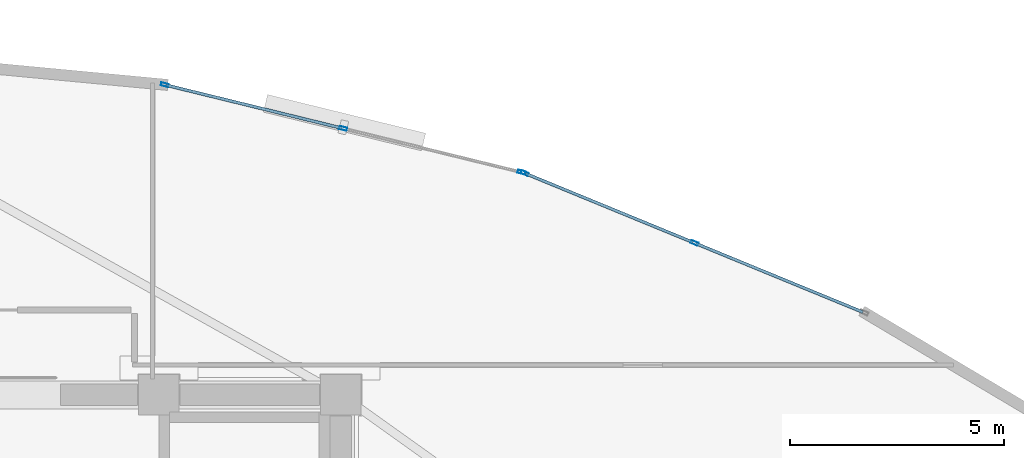
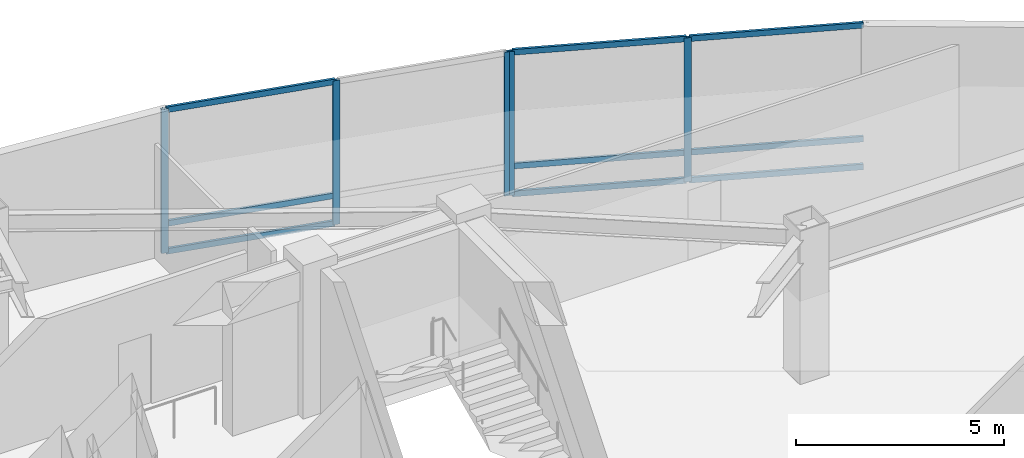
# One storey, part 10 of 17: 14 members, 2 elements without a shape of their own.
"""IFC4 building model written with IfcOpenShell, lengths in metres."""

from ifc_helpers import new_model, si_unit, direction, frame, origin, origin_2d, place, context, subcontext, project, spatial, hollow_rectangle, extrude, material, layer, layer_set, material_profile, profile_set, type_object, element, aggregate, save


model = new_model("IFC4")

# Units and contexts
model_context = context("Model", 3, precision=1e-05, world=origin(), true_north=direction((0.0, 1.0)))
body_context = subcontext(model_context, "Body", "Model", "MODEL_VIEW")
ifc_project = project(units=[si_unit("LENGTHUNIT", "METRE"), si_unit("AREAUNIT", "SQUARE_METRE"), si_unit("VOLUMEUNIT", "CUBIC_METRE"), si_unit("PLANEANGLEUNIT", "RADIAN"), si_unit("MASSUNIT", "GRAM", prefix="KILO")], contexts=[model_context])

# Site, building, storey
site_placement = place(None, origin())
site = spatial("IfcSite", under=ifc_project, at=site_placement, CompositionType="ELEMENT")
building_placement = place(site_placement, origin())
building = spatial("IfcBuilding", under=site, at=building_placement, Name="Menara Vayukalpa", CompositionType="ELEMENT")
storey_placement = place(building_placement, frame((0.0, 0.0, 238.139892578125)))
storey = spatial("IfcBuildingStorey", under=building, at=storey_placement, Name="L60", CompositionType="ELEMENT", Elevation=238.139892578125)

# Curtain wall, members
ifc_material_1 = material(Name="Anodised Terracotta Aluminium Alloy 6063-T6", Category="masonry")
ifc_layer = layer(ifc_material_1, 0.179931640625)
ifc_layer_set = layer_set([ifc_layer], Name="Anodised Terracotta Aluminium Alloy 6063-T6")
curtain_wall_type = type_object("IfcCurtainWallType", Name="CW-CW4", PredefinedType="USERDEFINED", material=ifc_layer_set)
curtain_wall_1_placement = place(storey_placement, origin())
curtain_wall_1 = element("IfcCurtainWall", 1, at=curtain_wall_1_placement, inside=storey, type_object=curtain_wall_type, Name="L60 Sky Bar Cantilever Glazed Curtain Wall CW4 04", ObjectType="UNITISED", PredefinedType="USERDEFINED")
ifc_material_2 = material(Name="Anodised Terracotta Aluminium Alloy 6063-T6", Category="masonry")
ifc_material_profile_1 = material_profile(ifc_material_2, hollow_rectangle(XDim=0.074951171875, YDim=0.179931640625, WallThickness=0.00390625, at=origin_2d()), Name="ALU 75x180x4")
ifc_profile_set_1 = profile_set([ifc_material_profile_1], Name="Anodised Terracotta Aluminium Alloy 6063-T6")
member_type_1 = type_object("IfcMemberType", Name="CWM-CW4", PredefinedType="MULLION", material=ifc_profile_set_1)
member_1_placement = place(storey_placement, frame((41.658203125, 30.34765625, 0.0), z_axis=(0.0, 0.0, 1.0), x_axis=(-0.380039448491, -0.924970279301, 0.0)))
member_1 = element("IfcMember", 2, at=member_1_placement, type_object=member_type_1, Name="CW4 mullion 2", PredefinedType="MULLION", context=body_context, shape_type="SweptSolid", body=[
    extrude(hollow_rectangle(XDim=0.074951171875, YDim=0.179931640625, WallThickness=0.00390625, at=origin_2d()), origin(), (0.0, 0.0, 1.0), 4.22021484375),
])
member_2_placement = place(storey_placement, frame((37.690673828125, 31.977783203125, 0.0), z_axis=(0.0, 0.0, 1.0), x_axis=(-0.380039448491, -0.924970279301, 0.0)))
member_2 = element("IfcMember", 3, at=member_2_placement, type_object=member_type_1, Name="CW4 mullion 3", PredefinedType="MULLION", context=body_context, shape_type="SweptSolid", body=[
    extrude(hollow_rectangle(XDim=0.074951171875, YDim=0.179931640625, WallThickness=0.00390625, at=origin_2d()), origin(), (0.0, 0.0, 1.0), 4.22021484375),
])

curtain_wall_2_placement = place(storey_placement, origin())
curtain_wall_2 = element("IfcCurtainWall", 4, at=curtain_wall_2_placement, inside=storey, type_object=curtain_wall_type, Name="L60 Sky Bar Cantilever Glazed Curtain Wall CW4 05", ObjectType="UNITISED", PredefinedType="USERDEFINED")
member_3_placement = place(storey_placement, frame((37.61962890625, 32.0009765625, 0.0), z_axis=(0.0, 0.0, 1.0), x_axis=(-0.237809768652, -0.971311749097, 0.0)))
member_3 = element("IfcMember", 5, at=member_3_placement, type_object=member_type_1, Name="CW4 mullion 1", PredefinedType="MULLION", context=body_context, shape_type="SweptSolid", body=[
    extrude(hollow_rectangle(XDim=0.074951171875, YDim=0.179931640625, WallThickness=0.00390625, at=origin_2d()), origin(), (0.0, 0.0, 1.0), 4.22021484375),
])
member_4_placement = place(storey_placement, frame((33.453369140625, 33.02099609375, 0.0), z_axis=(0.0, 0.0, 1.0), x_axis=(-0.237809768652, -0.971311749097, 0.0)))
member_4 = element("IfcMember", 6, at=member_4_placement, type_object=member_type_1, Name="CW4 mullion 2", PredefinedType="MULLION", context=body_context, shape_type="SweptSolid", body=[
    extrude(hollow_rectangle(XDim=0.074951171875, YDim=0.179931640625, WallThickness=0.00390625, at=origin_2d()), origin(), (0.0, 0.0, 1.0), 4.22021484375),
])
member_5_placement = place(storey_placement, frame((29.287109375, 34.041015625, 0.0), z_axis=(0.0, 0.0, 1.0), x_axis=(-0.237809768652, -0.971311749097, 0.0)))
member_5 = element("IfcMember", 7, at=member_5_placement, type_object=member_type_1, Name="CW4 mullion 3", PredefinedType="MULLION", context=body_context, shape_type="SweptSolid", body=[
    extrude(hollow_rectangle(XDim=0.074951171875, YDim=0.179931640625, WallThickness=0.00390625, at=origin_2d()), origin(), (0.0, 0.0, 1.0), 4.22021484375),
])

# Member
ifc_material_3 = material(Name="Anodised Terracotta Aluminium Alloy 6063-T6", Category="masonry")
ifc_material_profile_2 = material_profile(ifc_material_3, hollow_rectangle(XDim=0.070068359375, YDim=0.1650390625, WallThickness=0.00390625, at=origin_2d()), Name="ALU 70x165x4")
ifc_profile_set_2 = profile_set([ifc_material_profile_2], Name="Anodised Terracotta Aluminium Alloy 6063-T6")
member_type_2 = type_object("IfcMemberType", Name="CWT-CW4", PredefinedType="USERDEFINED", material=ifc_profile_set_2)
member_6_placement = place(storey_placement, frame((45.5908203125, 28.731689453125, 0.03515625), z_axis=(-0.924947817082, 0.380094114235, 0.0), x_axis=(-0.380094114235, -0.924947817082, 0.0)))
member_6 = element("IfcMember", 8, at=member_6_placement, type_object=member_type_2, Name="CW4 transom 1.1", ObjectType="TRANSOM", PredefinedType="USERDEFINED", context=body_context, shape_type="SweptSolid", body=[
    extrude(hollow_rectangle(XDim=0.070068359375, YDim=0.1650390625, WallThickness=0.00390625, at=origin_2d()), origin(), (0.0, 0.0, 1.0), 4.21435546875),
])

member_7_placement = place(storey_placement, frame((45.5908203125, 28.731689453125, 0.85009765625), z_axis=(-0.924947817082, 0.380094114235, 0.0), x_axis=(-0.380094114235, -0.924947817082, 0.0)))
member_7 = element("IfcMember", 9, at=member_7_placement, type_object=member_type_2, Name="CW4 transom 1.2", ObjectType="TRANSOM", PredefinedType="USERDEFINED", context=body_context, shape_type="SweptSolid", body=[
    extrude(hollow_rectangle(XDim=0.070068359375, YDim=0.1650390625, WallThickness=0.00390625, at=origin_2d()), origin(), (0.0, 0.0, 1.0), 4.21435546875),
])

member_8_placement = place(storey_placement, frame((45.5908203125, 28.731689453125, 4.18505859375), z_axis=(-0.924947817082, 0.380094114235, 0.0), x_axis=(-0.380094114235, -0.924947817082, 0.0)))
member_8 = element("IfcMember", 10, at=member_8_placement, type_object=member_type_2, Name="CW4 transom 1.3", ObjectType="TRANSOM", PredefinedType="USERDEFINED", context=body_context, shape_type="SweptSolid", body=[
    extrude(hollow_rectangle(XDim=0.070068359375, YDim=0.1650390625, WallThickness=0.00390625, at=origin_2d()), origin(), (0.0, 0.0, 1.0), 4.21435546875),
])

member_9_placement = place(storey_placement, frame((41.62353515625, 30.36181640625, 0.03515625), z_axis=(-0.924976550219, 0.380024185473, 0.0), x_axis=(-0.380024185473, -0.924976550219, 0.0)))
member_9 = element("IfcMember", 11, at=member_9_placement, type_object=member_type_2, Name="CW4 transom 2.1", ObjectType="TRANSOM", PredefinedType="USERDEFINED", context=body_context, shape_type="SweptSolid", body=[
    extrude(hollow_rectangle(XDim=0.070068359375, YDim=0.1650390625, WallThickness=0.00390625, at=origin_2d()), origin(), (0.0, 0.0, 1.0), 4.21435546875),
])

member_10_placement = place(storey_placement, frame((41.62353515625, 30.36181640625, 0.85009765625), z_axis=(-0.924976550219, 0.380024185473, 0.0), x_axis=(-0.380024185473, -0.924976550219, 0.0)))
member_10 = element("IfcMember", 12, at=member_10_placement, type_object=member_type_2, Name="CW4 transom 2.2", ObjectType="TRANSOM", PredefinedType="USERDEFINED", context=body_context, shape_type="SweptSolid", body=[
    extrude(hollow_rectangle(XDim=0.070068359375, YDim=0.1650390625, WallThickness=0.00390625, at=origin_2d()), origin(), (0.0, 0.0, 1.0), 4.21435546875),
])

member_11_placement = place(storey_placement, frame((41.62353515625, 30.36181640625, 4.18505859375), z_axis=(-0.924976550219, 0.380024185473, 0.0), x_axis=(-0.380024185473, -0.924976550219, 0.0)))
member_11 = element("IfcMember", 13, at=member_11_placement, type_object=member_type_2, Name="CW4 transom 2.3", ObjectType="TRANSOM", PredefinedType="USERDEFINED", context=body_context, shape_type="SweptSolid", body=[
    extrude(hollow_rectangle(XDim=0.070068359375, YDim=0.1650390625, WallThickness=0.00390625, at=origin_2d()), origin(), (0.0, 0.0, 1.0), 4.21435546875),
])

aggregate(curtain_wall_1, [member_1, member_2, member_6, member_7, member_8, member_9, member_10, member_11])

member_12_placement = place(storey_placement, frame((33.4169921875, 33.02978515625, 0.03515625), z_axis=(-0.971313425115, 0.237802923009, 0.0), x_axis=(-0.237802923009, -0.971313425115, 0.0)))
member_12 = element("IfcMember", 14, at=member_12_placement, type_object=member_type_2, Name="CW4 transom 2.1", ObjectType="TRANSOM", PredefinedType="USERDEFINED", context=body_context, shape_type="SweptSolid", body=[
    extrude(hollow_rectangle(XDim=0.070068359375, YDim=0.1650390625, WallThickness=0.00390625, at=origin_2d()), origin(), (0.0, 0.0, 1.0), 4.21435546875),
])

member_13_placement = place(storey_placement, frame((33.4169921875, 33.02978515625, 0.85009765625), z_axis=(-0.971313425115, 0.237802923009, 0.0), x_axis=(-0.237802923009, -0.971313425115, 0.0)))
member_13 = element("IfcMember", 15, at=member_13_placement, type_object=member_type_2, Name="CW4 transom 2.2", ObjectType="TRANSOM", PredefinedType="USERDEFINED", context=body_context, shape_type="SweptSolid", body=[
    extrude(hollow_rectangle(XDim=0.070068359375, YDim=0.1650390625, WallThickness=0.00390625, at=origin_2d()), origin(), (0.0, 0.0, 1.0), 4.21435546875),
])

member_14_placement = place(storey_placement, frame((33.4169921875, 33.02978515625, 4.18505859375), z_axis=(-0.971313425115, 0.237802923009, 0.0), x_axis=(-0.237802923009, -0.971313425115, 0.0)))
member_14 = element("IfcMember", 16, at=member_14_placement, type_object=member_type_2, Name="CW4 transom 2.3", ObjectType="TRANSOM", PredefinedType="USERDEFINED", context=body_context, shape_type="SweptSolid", body=[
    extrude(hollow_rectangle(XDim=0.070068359375, YDim=0.1650390625, WallThickness=0.00390625, at=origin_2d()), origin(), (0.0, 0.0, 1.0), 4.21435546875),
])

aggregate(curtain_wall_2, [member_3, member_4, member_5, member_12, member_13, member_14])

save(model, "model.ifc")
